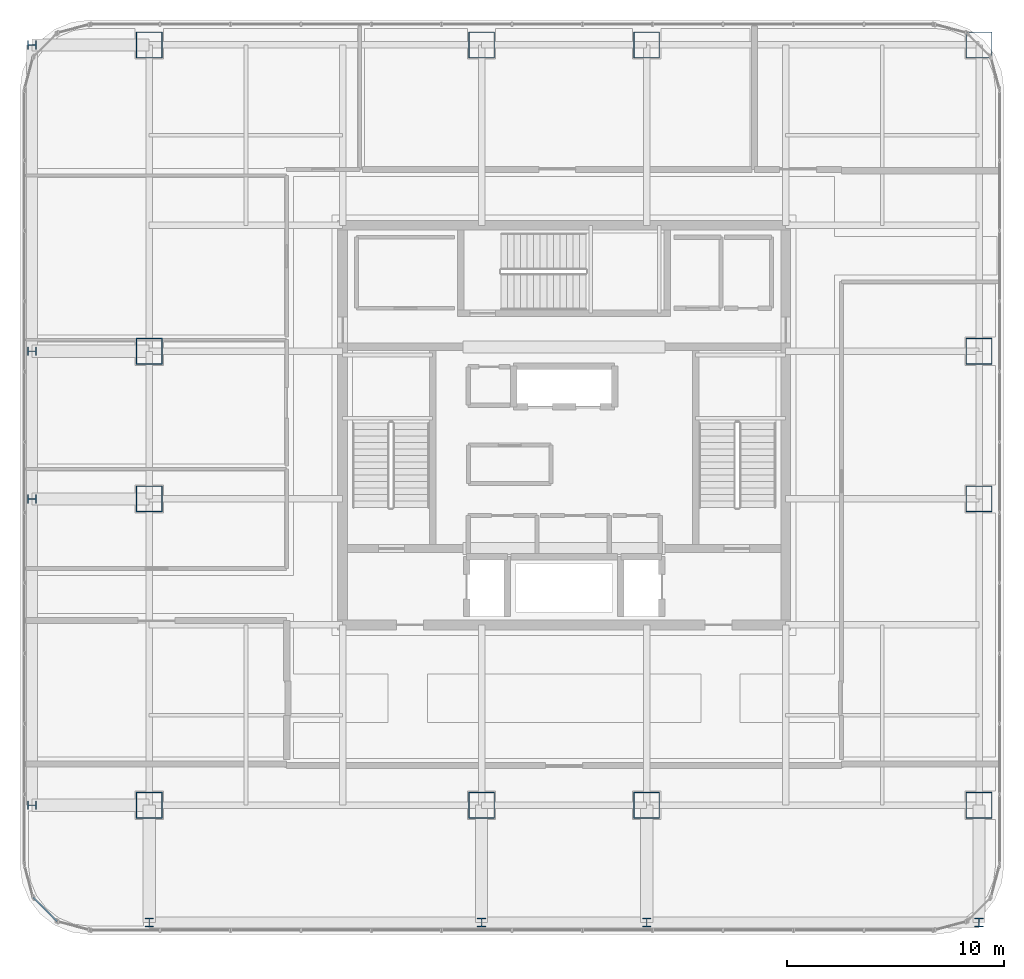
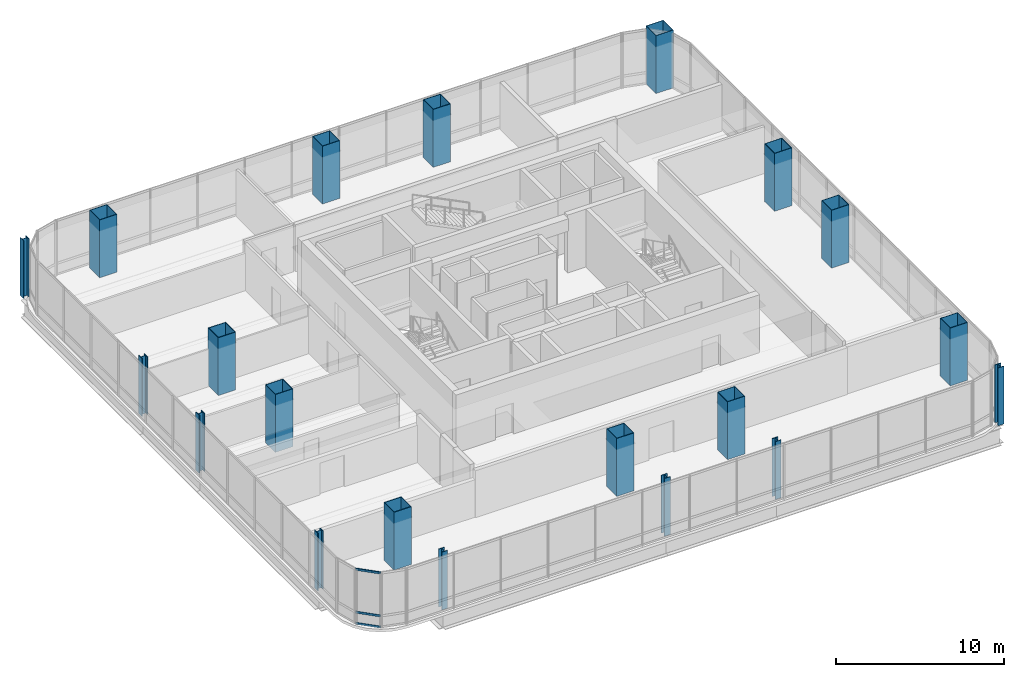
# One storey, part 1 of 42: 20 columns, 3 members, 1 element without a shape of its own.
"""IFC4 building model written with IfcOpenShell, lengths in metres."""

from ifc_helpers import new_model, si_unit, direction, frame, origin, origin_2d, place, context, subcontext, project, spatial, hollow_rectangle, i_section, extrude, material, material_profile, profile_set, type_object, element, aggregate, save


model = new_model("IFC4")

# Units and contexts
model_context = context("Model", 3, precision=1e-05, world=origin(), true_north=direction((0.0, 1.0)))
body_context = subcontext(model_context, "Body", "Model", "MODEL_VIEW")
ifc_project = project(units=[si_unit("LENGTHUNIT", "METRE"), si_unit("AREAUNIT", "SQUARE_METRE"), si_unit("VOLUMEUNIT", "CUBIC_METRE"), si_unit("PLANEANGLEUNIT", "RADIAN"), si_unit("MASSUNIT", "GRAM", prefix="KILO")], contexts=[model_context])

# Site, building, storey
site_placement = place(None, origin())
site = spatial("IfcSite", under=ifc_project, at=site_placement, CompositionType="ELEMENT")
building_placement = place(site_placement, origin())
building = spatial("IfcBuilding", under=site, at=building_placement, Name="Punatoya Terracotta Tower", CompositionType="ELEMENT")
storey_placement = place(building_placement, frame((0.0, 0.0, 325.800048828125)))
storey = spatial("IfcBuildingStorey", under=building, at=storey_placement, Name="L77", CompositionType="ELEMENT", Elevation=325.800048828125)

# Columns
ifc_material_1 = material(Name="Steel S460", Category="steel")
ifc_material_profile_1 = material_profile(ifc_material_1, i_section(OverallWidth=0.406005859375, OverallDepth=0.416015625, WebThickness=0.029052734375, FlangeThickness=0.048095703125, FilletRadius=0.01806640625, at=origin_2d()))
ifc_profile_set_1 = profile_set([ifc_material_profile_1], Name="Steel S460")
column_type_1 = type_object("IfcColumnType", Name="COL-EX-M3", PredefinedType="COLUMN", material=ifc_profile_set_1)
for number, where, z_axis, x_axis, name in (
    (1, (-19.10009765625, -22.89990234375, 0.0), (0.0, 0.0, 1.0), (1.0, 0.0, 0.0), "L77 Exoskeleton Perimeter Column S1"),
    (2, (-3.800048828125, -22.89990234375, 0.0), (0.0, 0.0, 1.0), (1.0, 0.0, 0.0), "L77 Exoskeleton Perimeter Column S2"),
    (3, (3.800048828125, -22.89990234375, 0.0), (0.0, 0.0, 1.0), (1.0, 0.0, 0.0), "L77 Exoskeleton Perimeter Column S3"),
    (4, (19.10009765625, -22.89990234375, 0.0), (0.0, 0.0, 1.0), (1.0, 0.0, 0.0), "L77 Exoskeleton Perimeter Column S4"),
    (5, (-24.5, -17.5, 0.0), (0.0, 0.0, 1.0), (0.0, 1.0, 0.0), "L77 Exoskeleton Perimeter Column W1"),
    (6, (-24.5, -3.39990234375, 0.0), (0.0, 0.0, 1.0), (0.0, 1.0, 0.0), "L77 Exoskeleton Perimeter Column W2"),
    (7, (-24.5, 3.39990234375, 0.0), (0.0, 0.0, 1.0), (0.0, 1.0, 0.0), "L77 Exoskeleton Perimeter Column W3"),
    (8, (-24.5, 17.5, 0.0), (0.0, 0.0, 1.0), (0.0, 1.0, 0.0), "L77 Exoskeleton Perimeter Column W4"),
):
    element("IfcColumn", number, at=place(storey_placement, frame(where, z_axis=z_axis, x_axis=x_axis)), inside=storey, type_object=column_type_1, Name=name, PredefinedType="COLUMN", context=body_context, shape_type="SweptSolid", body=[
        extrude(i_section(OverallWidth=0.406005859375, OverallDepth=0.416015625, WebThickness=0.029052734375, FlangeThickness=0.048095703125, FilletRadius=0.01806640625, at=origin_2d()), origin(), (0.0, 0.0, 1.0), 4.197998046875),
    ])
ifc_material_profile_2 = material_profile(ifc_material_1, hollow_rectangle(XDim=1.199951171875, YDim=1.199951171875, WallThickness=0.034912109375, at=origin_2d()))
ifc_profile_set_2 = profile_set([ifc_material_profile_2], Name="Steel S460")
column_type_2 = type_object("IfcColumnType", Name="COL-MC-Z4", PredefinedType="COLUMN", material=ifc_profile_set_2)
for number, where, z_axis, x_axis, name in (
    (9, (-19.10009765625, -17.5, 0.0), (0.0, 0.0, 1.0), (1.0, 0.0, 0.0), "L77 Composite Mega-Column MC-01 (3-B)"),
    (10, (-3.800048828125, -17.5, 0.0), (0.0, 0.0, 1.0), (1.0, 0.0, 0.0), "L77 Composite Mega-Column MC-02 (5-B)"),
    (11, (3.800048828125, -17.5, 0.0), (0.0, 0.0, 1.0), (1.0, 0.0, 0.0), "L77 Composite Mega-Column MC-03 (7-B)"),
    (12, (19.10009765625, -17.5, 0.0), (0.0, 0.0, 1.0), (1.0, 0.0, 0.0), "L77 Composite Mega-Column MC-04 (9-B)"),
    (13, (19.10009765625, -3.39990234375, 0.0), (0.0, 0.0, 1.0), (1.0, 0.0, 0.0), "L77 Composite Mega-Column MC-05 (9-D)"),
    (14, (19.10009765625, 3.39990234375, 0.0), (0.0, 0.0, 1.0), (1.0, 0.0, 0.0), "L77 Composite Mega-Column MC-06 (9-E)"),
    (15, (19.10009765625, 17.5, 0.0), (0.0, 0.0, 1.0), (1.0, 0.0, 0.0), "L77 Composite Mega-Column MC-07 (9-G)"),
    (16, (3.800048828125, 17.5, 0.0), (0.0, 0.0, 1.0), (1.0, 0.0, 0.0), "L77 Composite Mega-Column MC-08 (7-G)"),
    (17, (-3.800048828125, 17.5, 0.0), (0.0, 0.0, 1.0), (1.0, 0.0, 0.0), "L77 Composite Mega-Column MC-09 (5-G)"),
    (18, (-19.10009765625, 17.5, 0.0), (0.0, 0.0, 1.0), (1.0, 0.0, 0.0), "L77 Composite Mega-Column MC-10 (3-G)"),
    (19, (-19.10009765625, 3.39990234375, 0.0), (0.0, 0.0, 1.0), (1.0, 0.0, 0.0), "L77 Composite Mega-Column MC-11 (3-E)"),
    (20, (-19.10009765625, -3.39990234375, 0.0), (0.0, 0.0, 1.0), (1.0, 0.0, 0.0), "L77 Composite Mega-Column MC-12 (3-D)"),
):
    element("IfcColumn", number, at=place(storey_placement, frame(where, z_axis=z_axis, x_axis=x_axis)), inside=storey, type_object=column_type_2, Name=name, PredefinedType="COLUMN", context=body_context, shape_type="SweptSolid", body=[
        extrude(hollow_rectangle(XDim=1.199951171875, YDim=1.199951171875, WallThickness=0.034912109375, at=origin_2d()), origin(), (0.0, 0.0, 1.0), 4.199951171875),
    ])

# Curtain wall, members
ifc_material_2 = material(Name="Aluminium 6063-T6 + Double Low-E Glass", Category="aluminium")
curtain_wall_type = type_object("IfcCurtainWallType", Name="CW-OBS", PredefinedType="NOTDEFINED", material=ifc_material_2)
curtain_wall_placement = place(storey_placement, origin())
curtain_wall = element("IfcCurtainWall", 21, at=curtain_wall_placement, inside=storey, type_object=curtain_wall_type, Name="L77 Curtain Wall CW-L77-CRN15", PredefinedType="NOTDEFINED")
ifc_material_3 = material(Name="Aluminium 6063-T6", Category="aluminium")
ifc_material_profile_3 = material_profile(ifc_material_3, hollow_rectangle(XDim=0.068115234375, YDim=0.14990234375, WallThickness=0.00390625, at=origin_2d()))
ifc_profile_set_3 = profile_set([ifc_material_profile_3], Name="Aluminium 6063-T6")
member_type = type_object("IfcMemberType", Name="CW-TRN-TYP", PredefinedType="USERDEFINED", material=ifc_profile_set_3)
member_1_placement = place(storey_placement, frame((-24.446533203125, -21.7490234375, 0.0400390625), z_axis=(0.707028130747, -0.707185422879, 0.0), x_axis=(0.707185422879, 0.707028130747, 0.0)))
member_1 = element("IfcMember", 22, at=member_1_placement, type_object=member_type, Name="CW-L77-CRN15 Transom 1", ObjectType="TRANSOM", PredefinedType="USERDEFINED", context=body_context, shape_type="SweptSolid", body=[
    extrude(hollow_rectangle(XDim=0.068115234375, YDim=0.14990234375, WallThickness=0.00390625, at=origin_2d()), origin(), (0.0, 0.0, 1.0), 1.55224609375),
])
member_2_placement = place(storey_placement, frame((-24.446533203125, -21.7490234375, 0.849853515625), z_axis=(0.707028130747, -0.707185422879, 0.0), x_axis=(0.707185422879, 0.707028130747, 0.0)))
member_2 = element("IfcMember", 23, at=member_2_placement, type_object=member_type, Name="CW-L77-CRN15 Transom 2", ObjectType="TRANSOM", PredefinedType="USERDEFINED", context=body_context, shape_type="SweptSolid", body=[
    extrude(hollow_rectangle(XDim=0.068115234375, YDim=0.14990234375, WallThickness=0.00390625, at=origin_2d()), origin(), (0.0, 0.0, 1.0), 1.55224609375),
])
member_3_placement = place(storey_placement, frame((-24.446533203125, -21.7490234375, 3.9599609375), z_axis=(0.707028130747, -0.707185422879, 0.0), x_axis=(0.707185422879, 0.707028130747, 0.0)))
member_3 = element("IfcMember", 24, at=member_3_placement, type_object=member_type, Name="CW-L77-CRN15 Transom 3", ObjectType="TRANSOM", PredefinedType="USERDEFINED", context=body_context, shape_type="SweptSolid", body=[
    extrude(hollow_rectangle(XDim=0.068115234375, YDim=0.14990234375, WallThickness=0.00390625, at=origin_2d()), origin(), (0.0, 0.0, 1.0), 1.55224609375),
])
aggregate(curtain_wall, [member_1, member_2, member_3])

save(model, "model.ifc")
